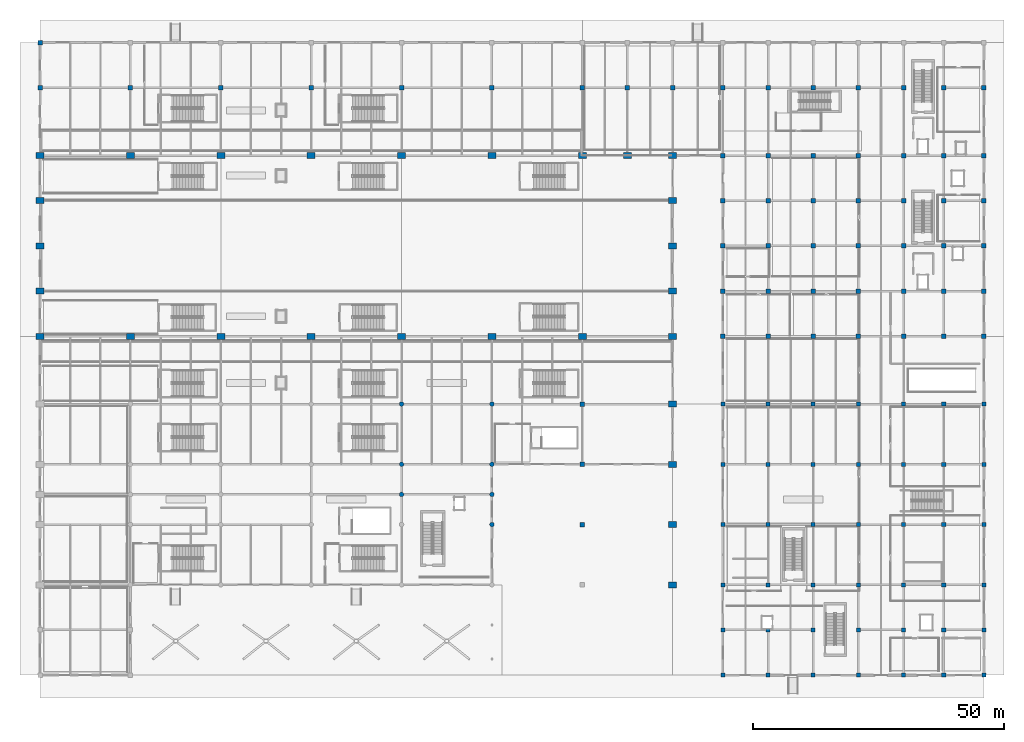
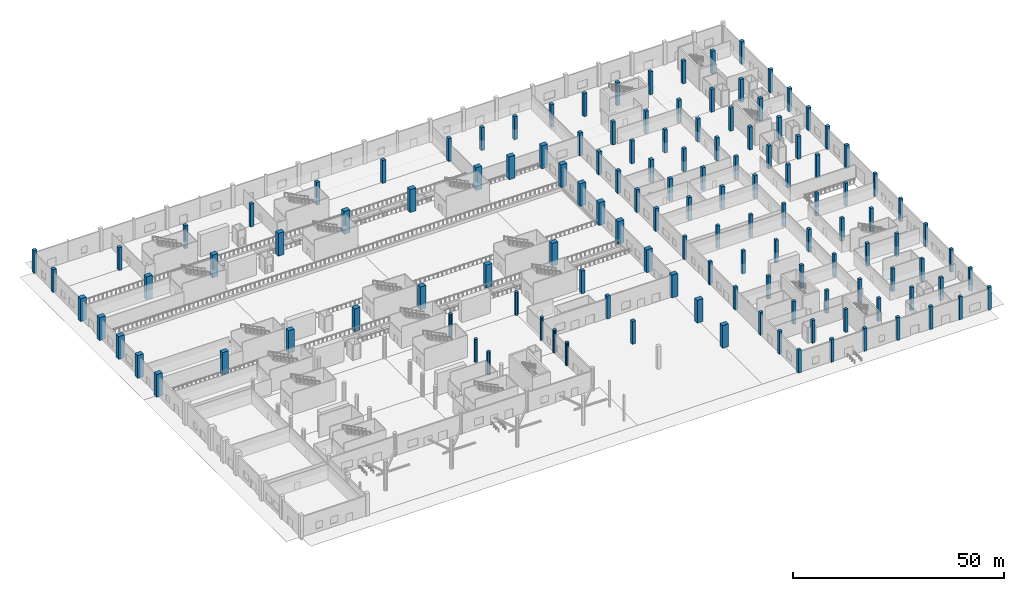
# One storey, part 4 of 65: 131 columns.
"""IFC4 building model written with IfcOpenShell, lengths in metres."""

from ifc_helpers import new_model, si_unit, direction, frame, origin, origin_2d, place, context, subcontext, project, spatial, rectangle, circle, extrude, material, material_profile, profile_set, type_object, element, save


model = new_model("IFC4")

# Units and contexts
model_context = context("Model", 3, precision=1e-05, world=origin(), true_north=direction((0.0, 1.0)))
body_context = subcontext(model_context, "Body", "Model", "MODEL_VIEW")
ifc_project = project(units=[si_unit("LENGTHUNIT", "METRE"), si_unit("AREAUNIT", "SQUARE_METRE"), si_unit("VOLUMEUNIT", "CUBIC_METRE"), si_unit("PLANEANGLEUNIT", "RADIAN"), si_unit("MASSUNIT", "GRAM", prefix="KILO")], contexts=[model_context])

# Site, building, storey
site_placement = place(None, origin())
site = spatial("IfcSite", under=ifc_project, at=site_placement, CompositionType="ELEMENT")
building_placement = place(site_placement, origin())
building = spatial("IfcBuilding", under=site, at=building_placement, Name="Chuanluo Vaults Station", CompositionType="ELEMENT")
storey_placement = place(building_placement, origin())
storey = spatial("IfcBuildingStorey", under=building, at=storey_placement, Name="L00", CompositionType="ELEMENT", Elevation=0.0)

# Columns
ifc_material_1 = material(Name="Concrete C50", Category="concrete")
ifc_material_profile_1 = material_profile(ifc_material_1, circle(Radius=0.449951171875, at=origin_2d()))
ifc_profile_set_1 = profile_set([ifc_material_profile_1], Name="Concrete C50")
column_type_1 = type_object("IfcColumnType", Name="COL-CIR-900", PredefinedType="COLUMN", material=ifc_profile_set_1)
for number, where, z_axis, x_axis, name in (
    (1, (72.0, 36.0, 0.0), (0.0, 0.0, 1.0), (1.0, 0.0, 0.0), "Column L00-046"),
    (2, (72.0, 42.0, 0.0), (0.0, 0.0, 1.0), (1.0, 0.0, 0.0), "Column L00-047"),
    (3, (72.0, 54.0, 0.0), (0.0, 0.0, 1.0), (1.0, 0.0, 0.0), "Column L00-048"),
    (4, (90.0, 30.0, 0.0), (0.0, 0.0, 1.0), (1.0, 0.0, 0.0), "Column L00-054"),
    (5, (90.0, 36.0, 0.0), (0.0, 0.0, 1.0), (1.0, 0.0, 0.0), "Column L00-055"),
    (6, (90.0, 42.0, 0.0), (0.0, 0.0, 1.0), (1.0, 0.0, 0.0), "Column L00-056"),
    (7, (90.0, 54.0, 0.0), (0.0, 0.0, 1.0), (1.0, 0.0, 0.0), "Column L00-057"),
):
    element("IfcColumn", number, at=place(storey_placement, frame(where, z_axis=z_axis, x_axis=x_axis)), inside=storey, type_object=column_type_1, Name=name, PredefinedType="COLUMN", context=body_context, shape_type="SweptSolid", body=[
        extrude(circle(Radius=0.449951171875, at=origin_2d()), origin(), (0.0, 0.0, 1.0), 6.60009765625),
    ])
ifc_material_2 = material(Name="Concrete C40", Category="concrete")
ifc_material_profile_2 = material_profile(ifc_material_2, rectangle(XDim=0.800048828125, YDim=0.800048828125, at=origin_2d()))
ifc_profile_set_2 = profile_set([ifc_material_profile_2], Name="Concrete C40")
column_type_2 = type_object("IfcColumnType", Name="COL-RC-800x800", PredefinedType="COLUMN", material=ifc_profile_set_2)
for number, where, z_axis, x_axis, name in (
    (8, (136.0, 0.0, 0.0), (0.0, 0.0, 1.0), (1.0, 0.0, 0.0), "Column L00-084"),
    (9, (136.0, 9.0, 0.0), (0.0, 0.0, 1.0), (1.0, 0.0, 0.0), "Column L00-085"),
    (10, (136.0, 18.0, 0.0), (0.0, 0.0, 1.0), (1.0, 0.0, 0.0), "Column L00-086"),
    (11, (136.0, 30.0, 0.0), (0.0, 0.0, 1.0), (1.0, 0.0, 0.0), "Column L00-087"),
    (12, (136.0, 42.0, 0.0), (0.0, 0.0, 1.0), (1.0, 0.0, 0.0), "Column L00-088"),
    (13, (136.0, 54.0, 0.0), (0.0, 0.0, 1.0), (1.0, 0.0, 0.0), "Column L00-089"),
    (14, (145.0, 0.0, 0.0), (0.0, 0.0, 1.0), (1.0, 0.0, 0.0), "Column L00-097"),
    (15, (145.0, 9.0, 0.0), (0.0, 0.0, 1.0), (1.0, 0.0, 0.0), "Column L00-098"),
    (16, (145.0, 18.0, 0.0), (0.0, 0.0, 1.0), (1.0, 0.0, 0.0), "Column L00-099"),
    (17, (145.0, 30.0, 0.0), (0.0, 0.0, 1.0), (1.0, 0.0, 0.0), "Column L00-100"),
    (18, (145.0, 42.0, 0.0), (0.0, 0.0, 1.0), (1.0, 0.0, 0.0), "Column L00-101"),
    (19, (145.0, 54.0, 0.0), (0.0, 0.0, 1.0), (1.0, 0.0, 0.0), "Column L00-102"),
    (20, (154.0, 0.0, 0.0), (0.0, 0.0, 1.0), (1.0, 0.0, 0.0), "Column L00-110"),
    (21, (154.0, 9.0, 0.0), (0.0, 0.0, 1.0), (1.0, 0.0, 0.0), "Column L00-111"),
    (22, (154.0, 18.0, 0.0), (0.0, 0.0, 1.0), (1.0, 0.0, 0.0), "Column L00-112"),
    (23, (154.0, 30.0, 0.0), (0.0, 0.0, 1.0), (1.0, 0.0, 0.0), "Column L00-113"),
    (24, (154.0, 42.0, 0.0), (0.0, 0.0, 1.0), (1.0, 0.0, 0.0), "Column L00-114"),
    (25, (154.0, 54.0, 0.0), (0.0, 0.0, 1.0), (1.0, 0.0, 0.0), "Column L00-115"),
    (26, (163.0, 0.0, 0.0), (0.0, 0.0, 1.0), (1.0, 0.0, 0.0), "Column L00-123"),
    (27, (163.0, 9.0, 0.0), (0.0, 0.0, 1.0), (1.0, 0.0, 0.0), "Column L00-124"),
    (28, (163.0, 18.0, 0.0), (0.0, 0.0, 1.0), (1.0, 0.0, 0.0), "Column L00-125"),
    (29, (163.0, 30.0, 0.0), (0.0, 0.0, 1.0), (1.0, 0.0, 0.0), "Column L00-126"),
    (30, (163.0, 42.0, 0.0), (0.0, 0.0, 1.0), (1.0, 0.0, 0.0), "Column L00-127"),
    (31, (163.0, 54.0, 0.0), (0.0, 0.0, 1.0), (1.0, 0.0, 0.0), "Column L00-128"),
    (32, (172.0, 0.0, 0.0), (0.0, 0.0, 1.0), (1.0, 0.0, 0.0), "Column L00-136"),
    (33, (172.0, 9.0, 0.0), (0.0, 0.0, 1.0), (1.0, 0.0, 0.0), "Column L00-137"),
    (34, (172.0, 18.0, 0.0), (0.0, 0.0, 1.0), (1.0, 0.0, 0.0), "Column L00-138"),
    (35, (172.0, 30.0, 0.0), (0.0, 0.0, 1.0), (1.0, 0.0, 0.0), "Column L00-139"),
    (36, (172.0, 42.0, 0.0), (0.0, 0.0, 1.0), (1.0, 0.0, 0.0), "Column L00-140"),
    (37, (172.0, 54.0, 0.0), (0.0, 0.0, 1.0), (1.0, 0.0, 0.0), "Column L00-141"),
    (38, (180.0, 0.0, 0.0), (0.0, 0.0, 1.0), (1.0, 0.0, 0.0), "Column L00-149"),
    (39, (180.0, 9.0, 0.0), (0.0, 0.0, 1.0), (1.0, 0.0, 0.0), "Column L00-150"),
    (40, (180.0, 18.0, 0.0), (0.0, 0.0, 1.0), (1.0, 0.0, 0.0), "Column L00-151"),
    (41, (180.0, 30.0, 0.0), (0.0, 0.0, 1.0), (1.0, 0.0, 0.0), "Column L00-152"),
    (42, (180.0, 42.0, 0.0), (0.0, 0.0, 1.0), (1.0, 0.0, 0.0), "Column L00-153"),
    (43, (180.0, 54.0, 0.0), (0.0, 0.0, 1.0), (1.0, 0.0, 0.0), "Column L00-154"),
    (44, (188.0, 0.0, 0.0), (0.0, 0.0, 1.0), (1.0, 0.0, 0.0), "Column L00-162"),
    (45, (188.0, 9.0, 0.0), (0.0, 0.0, 1.0), (1.0, 0.0, 0.0), "Column L00-163"),
    (46, (188.0, 18.0, 0.0), (0.0, 0.0, 1.0), (1.0, 0.0, 0.0), "Column L00-164"),
    (47, (188.0, 30.0, 0.0), (0.0, 0.0, 1.0), (1.0, 0.0, 0.0), "Column L00-165"),
    (48, (188.0, 42.0, 0.0), (0.0, 0.0, 1.0), (1.0, 0.0, 0.0), "Column L00-166"),
    (49, (188.0, 54.0, 0.0), (0.0, 0.0, 1.0), (1.0, 0.0, 0.0), "Column L00-167"),
):
    element("IfcColumn", number, at=place(storey_placement, frame(where, z_axis=z_axis, x_axis=x_axis)), inside=storey, type_object=column_type_2, Name=name, PredefinedType="COLUMN", context=body_context, shape_type="SweptSolid", body=[
        extrude(rectangle(XDim=0.800048828125, YDim=0.800048828125, at=origin_2d()), origin(), (0.0, 0.0, 1.0), 6.60009765625),
    ])
ifc_material_3 = material(Name="Concrete C50", Category="concrete")
ifc_material_profile_3 = material_profile(ifc_material_3, rectangle(XDim=0.89990234375, YDim=0.89990234375, at=origin_2d()))
ifc_profile_set_3 = profile_set([ifc_material_profile_3], Name="Concrete C50")
column_type_3 = type_object("IfcColumnType", Name="COL-RC-900x900", PredefinedType="COLUMN", material=ifc_profile_set_3)
for number, where, z_axis, x_axis, name in (
    (50, (0.0, 117.0, 0.0), (0.0, 0.0, 1.0), (1.0, 0.0, 0.0), "Column L00-013"),
    (51, (0.0, 126.0, 0.0), (0.0, 0.0, 1.0), (1.0, 0.0, 0.0), "Column L00-014"),
    (52, (18.0, 117.0, 0.0), (0.0, 0.0, 1.0), (1.0, 0.0, 0.0), "Column L00-024"),
    (53, (36.0, 117.0, 0.0), (0.0, 0.0, 1.0), (1.0, 0.0, 0.0), "Column L00-033"),
    (54, (54.0, 117.0, 0.0), (0.0, 0.0, 1.0), (1.0, 0.0, 0.0), "Column L00-042"),
    (55, (72.0, 117.0, 0.0), (0.0, 0.0, 1.0), (1.0, 0.0, 0.0), "Column L00-051"),
    (56, (90.0, 117.0, 0.0), (0.0, 0.0, 1.0), (1.0, 0.0, 0.0), "Column L00-060"),
    (57, (108.0, 30.0, 0.0), (0.0, 0.0, 1.0), (1.0, 0.0, 0.0), "Column L00-063"),
    (58, (108.0, 42.0, 0.0), (0.0, 0.0, 1.0), (1.0, 0.0, 0.0), "Column L00-064"),
    (59, (108.0, 54.0, 0.0), (0.0, 0.0, 1.0), (1.0, 0.0, 0.0), "Column L00-065"),
    (60, (108.0, 117.0, 0.0), (0.0, 0.0, 1.0), (1.0, 0.0, 0.0), "Column L00-068"),
    (61, (117.0, 117.0, 0.0), (0.0, 0.0, 1.0), (1.0, 0.0, 0.0), "Column L00-071"),
    (62, (126.0, 117.0, 0.0), (0.0, 0.0, 1.0), (1.0, 0.0, 0.0), "Column L00-082"),
    (63, (136.0, 67.5, 0.0), (0.0, 0.0, 1.0), (1.0, 0.0, 0.0), "Column L00-090"),
    (64, (136.0, 76.5, 0.0), (0.0, 0.0, 1.0), (1.0, 0.0, 0.0), "Column L00-091"),
    (65, (136.0, 85.5, 0.0), (0.0, 0.0, 1.0), (1.0, 0.0, 0.0), "Column L00-092"),
    (66, (136.0, 94.5, 0.0), (0.0, 0.0, 1.0), (1.0, 0.0, 0.0), "Column L00-093"),
    (67, (136.0, 103.5, 0.0), (0.0, 0.0, 1.0), (1.0, 0.0, 0.0), "Column L00-094"),
    (68, (136.0, 117.0, 0.0), (0.0, 0.0, 1.0), (1.0, 0.0, 0.0), "Column L00-095"),
    (69, (145.0, 67.5, 0.0), (0.0, 0.0, 1.0), (1.0, 0.0, 0.0), "Column L00-103"),
    (70, (145.0, 76.5, 0.0), (0.0, 0.0, 1.0), (1.0, 0.0, 0.0), "Column L00-104"),
    (71, (145.0, 85.5, 0.0), (0.0, 0.0, 1.0), (1.0, 0.0, 0.0), "Column L00-105"),
    (72, (145.0, 94.5, 0.0), (0.0, 0.0, 1.0), (1.0, 0.0, 0.0), "Column L00-106"),
    (73, (145.0, 103.5, 0.0), (0.0, 0.0, 1.0), (1.0, 0.0, 0.0), "Column L00-107"),
    (74, (145.0, 117.0, 0.0), (0.0, 0.0, 1.0), (1.0, 0.0, 0.0), "Column L00-108"),
    (75, (154.0, 67.5, 0.0), (0.0, 0.0, 1.0), (1.0, 0.0, 0.0), "Column L00-116"),
    (76, (154.0, 76.5, 0.0), (0.0, 0.0, 1.0), (1.0, 0.0, 0.0), "Column L00-117"),
    (77, (154.0, 85.5, 0.0), (0.0, 0.0, 1.0), (1.0, 0.0, 0.0), "Column L00-118"),
    (78, (154.0, 94.5, 0.0), (0.0, 0.0, 1.0), (1.0, 0.0, 0.0), "Column L00-119"),
    (79, (154.0, 103.5, 0.0), (0.0, 0.0, 1.0), (1.0, 0.0, 0.0), "Column L00-120"),
    (80, (154.0, 117.0, 0.0), (0.0, 0.0, 1.0), (1.0, 0.0, 0.0), "Column L00-121"),
    (81, (163.0, 67.5, 0.0), (0.0, 0.0, 1.0), (1.0, 0.0, 0.0), "Column L00-129"),
    (82, (163.0, 76.5, 0.0), (0.0, 0.0, 1.0), (1.0, 0.0, 0.0), "Column L00-130"),
    (83, (163.0, 85.5, 0.0), (0.0, 0.0, 1.0), (1.0, 0.0, 0.0), "Column L00-131"),
    (84, (163.0, 94.5, 0.0), (0.0, 0.0, 1.0), (1.0, 0.0, 0.0), "Column L00-132"),
    (85, (163.0, 103.5, 0.0), (0.0, 0.0, 1.0), (1.0, 0.0, 0.0), "Column L00-133"),
    (86, (163.0, 117.0, 0.0), (0.0, 0.0, 1.0), (1.0, 0.0, 0.0), "Column L00-134"),
    (87, (172.0, 67.5, 0.0), (0.0, 0.0, 1.0), (1.0, 0.0, 0.0), "Column L00-142"),
    (88, (172.0, 76.5, 0.0), (0.0, 0.0, 1.0), (1.0, 0.0, 0.0), "Column L00-143"),
    (89, (172.0, 85.5, 0.0), (0.0, 0.0, 1.0), (1.0, 0.0, 0.0), "Column L00-144"),
    (90, (172.0, 94.5, 0.0), (0.0, 0.0, 1.0), (1.0, 0.0, 0.0), "Column L00-145"),
    (91, (172.0, 103.5, 0.0), (0.0, 0.0, 1.0), (1.0, 0.0, 0.0), "Column L00-146"),
    (92, (172.0, 117.0, 0.0), (0.0, 0.0, 1.0), (1.0, 0.0, 0.0), "Column L00-147"),
    (93, (180.0, 67.5, 0.0), (0.0, 0.0, 1.0), (1.0, 0.0, 0.0), "Column L00-155"),
    (94, (180.0, 76.5, 0.0), (0.0, 0.0, 1.0), (1.0, 0.0, 0.0), "Column L00-156"),
    (95, (180.0, 85.5, 0.0), (0.0, 0.0, 1.0), (1.0, 0.0, 0.0), "Column L00-157"),
    (96, (180.0, 94.5, 0.0), (0.0, 0.0, 1.0), (1.0, 0.0, 0.0), "Column L00-158"),
    (97, (180.0, 103.5, 0.0), (0.0, 0.0, 1.0), (1.0, 0.0, 0.0), "Column L00-159"),
    (98, (180.0, 117.0, 0.0), (0.0, 0.0, 1.0), (1.0, 0.0, 0.0), "Column L00-160"),
    (99, (188.0, 67.5, 0.0), (0.0, 0.0, 1.0), (1.0, 0.0, 0.0), "Column L00-168"),
    (100, (188.0, 76.5, 0.0), (0.0, 0.0, 1.0), (1.0, 0.0, 0.0), "Column L00-169"),
    (101, (188.0, 85.5, 0.0), (0.0, 0.0, 1.0), (1.0, 0.0, 0.0), "Column L00-170"),
    (102, (188.0, 94.5, 0.0), (0.0, 0.0, 1.0), (1.0, 0.0, 0.0), "Column L00-171"),
    (103, (188.0, 103.5, 0.0), (0.0, 0.0, 1.0), (1.0, 0.0, 0.0), "Column L00-172"),
    (104, (188.0, 117.0, 0.0), (0.0, 0.0, 1.0), (1.0, 0.0, 0.0), "Column L00-173"),
):
    element("IfcColumn", number, at=place(storey_placement, frame(where, z_axis=z_axis, x_axis=x_axis)), inside=storey, type_object=column_type_3, Name=name, PredefinedType="COLUMN", context=body_context, shape_type="SweptSolid", body=[
        extrude(rectangle(XDim=0.89990234375, YDim=0.89990234375, at=origin_2d()), origin(), (0.0, 0.0, 1.0), 6.60009765625),
    ])
ifc_material_4 = material(Name="Concrete C50", Category="concrete")
ifc_material_profile_4 = material_profile(ifc_material_4, rectangle(XDim=1.60009765625, YDim=1.199951171875, at=origin_2d()))
ifc_profile_set_4 = profile_set([ifc_material_profile_4], Name="Concrete C50")
column_type_4 = type_object("IfcColumnType", Name="COL-SRC-1600x1200", PredefinedType="COLUMN", material=ifc_profile_set_4)
for number, where, z_axis, x_axis, name in (
    (105, (0.0, 67.5, 0.0), (0.0, 0.0, 1.0), (1.0, 0.0, 0.0), "Column L00-008"),
    (106, (0.0, 76.5, 0.0), (0.0, 0.0, 1.0), (1.0, 0.0, 0.0), "Column L00-009"),
    (107, (0.0, 85.5, 0.0), (0.0, 0.0, 1.0), (1.0, 0.0, 0.0), "Column L00-010"),
    (108, (0.0, 94.5, 0.0), (0.0, 0.0, 1.0), (1.0, 0.0, 0.0), "Column L00-011"),
    (109, (0.0, 103.5, 0.0), (0.0, 0.0, 1.0), (1.0, 0.0, 0.0), "Column L00-012"),
    (110, (18.0, 67.5, 0.0), (0.0, 0.0, 1.0), (1.0, 0.0, 0.0), "Column L00-022"),
    (111, (18.0, 103.5, 0.0), (0.0, 0.0, 1.0), (1.0, 0.0, 0.0), "Column L00-023"),
    (112, (36.0, 67.5, 0.0), (0.0, 0.0, 1.0), (1.0, 0.0, 0.0), "Column L00-031"),
    (113, (36.0, 103.5, 0.0), (0.0, 0.0, 1.0), (1.0, 0.0, 0.0), "Column L00-032"),
    (114, (54.0, 67.5, 0.0), (0.0, 0.0, 1.0), (1.0, 0.0, 0.0), "Column L00-040"),
    (115, (54.0, 103.5, 0.0), (0.0, 0.0, 1.0), (1.0, 0.0, 0.0), "Column L00-041"),
    (116, (72.0, 67.5, 0.0), (0.0, 0.0, 1.0), (1.0, 0.0, 0.0), "Column L00-049"),
    (117, (72.0, 103.5, 0.0), (0.0, 0.0, 1.0), (1.0, 0.0, 0.0), "Column L00-050"),
    (118, (90.0, 67.5, 0.0), (0.0, 0.0, 1.0), (1.0, 0.0, 0.0), "Column L00-058"),
    (119, (90.0, 103.5, 0.0), (0.0, 0.0, 1.0), (1.0, 0.0, 0.0), "Column L00-059"),
    (120, (108.0, 67.5, 0.0), (0.0, 0.0, 1.0), (1.0, 0.0, 0.0), "Column L00-066"),
    (121, (108.0, 103.5, 0.0), (0.0, 0.0, 1.0), (1.0, 0.0, 0.0), "Column L00-067"),
    (122, (117.0, 103.5, 0.0), (0.0, 0.0, 1.0), (1.0, 0.0, 0.0), "Column L00-070"),
    (123, (126.0, 18.0, 0.0), (0.0, 0.0, 1.0), (1.0, 0.0, 0.0), "Column L00-073"),
    (124, (126.0, 30.0, 0.0), (0.0, 0.0, 1.0), (1.0, 0.0, 0.0), "Column L00-074"),
    (125, (126.0, 42.0, 0.0), (0.0, 0.0, 1.0), (1.0, 0.0, 0.0), "Column L00-075"),
    (126, (126.0, 54.0, 0.0), (0.0, 0.0, 1.0), (1.0, 0.0, 0.0), "Column L00-076"),
    (127, (126.0, 67.5, 0.0), (0.0, 0.0, 1.0), (1.0, 0.0, 0.0), "Column L00-077"),
    (128, (126.0, 76.5, 0.0), (0.0, 0.0, 1.0), (1.0, 0.0, 0.0), "Column L00-078"),
    (129, (126.0, 85.5, 0.0), (0.0, 0.0, 1.0), (1.0, 0.0, 0.0), "Column L00-079"),
    (130, (126.0, 94.5, 0.0), (0.0, 0.0, 1.0), (1.0, 0.0, 0.0), "Column L00-080"),
    (131, (126.0, 103.5, 0.0), (0.0, 0.0, 1.0), (1.0, 0.0, 0.0), "Column L00-081"),
):
    element("IfcColumn", number, at=place(storey_placement, frame(where, z_axis=z_axis, x_axis=x_axis)), inside=storey, type_object=column_type_4, Name=name, PredefinedType="COLUMN", context=body_context, shape_type="SweptSolid", body=[
        extrude(rectangle(XDim=1.60009765625, YDim=1.199951171875, at=origin_2d()), origin(), (0.0, 0.0, 1.0), 6.60009765625),
    ])

save(model, "model.ifc")
